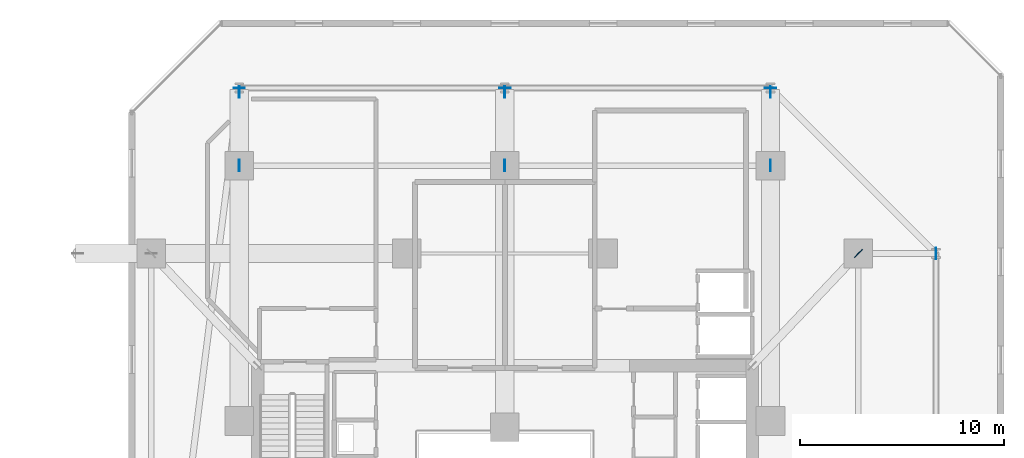
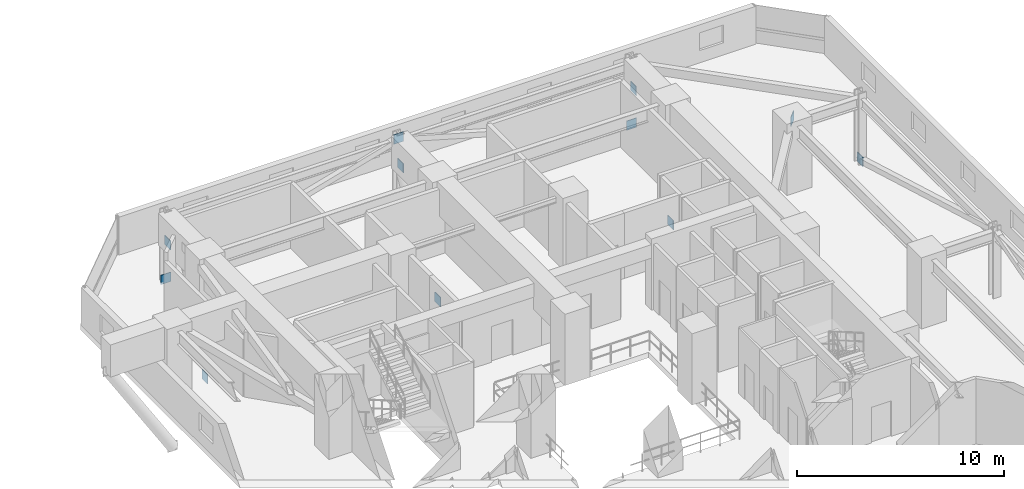
# One storey, part 28 of 38: 11 plates.
"""IFC4 building model written with IfcOpenShell, lengths in metres."""

from ifc_helpers import new_model, si_unit, direction, frame, origin, origin_2d, place, context, subcontext, project, spatial, rectangle, extrude, material, layer, layer_set, type_object, element, save


model = new_model("IFC4")

# Units and contexts
model_context = context("Model", 3, precision=1e-05, world=origin(), true_north=direction((0.0, 1.0)))
body_context = subcontext(model_context, "Body", "Model", "MODEL_VIEW")
ifc_project = project(units=[si_unit("LENGTHUNIT", "METRE"), si_unit("AREAUNIT", "SQUARE_METRE"), si_unit("VOLUMEUNIT", "CUBIC_METRE"), si_unit("PLANEANGLEUNIT", "RADIAN"), si_unit("MASSUNIT", "GRAM", prefix="KILO")], contexts=[model_context])

# Site, building, storey
site_placement = place(None, origin())
site = spatial("IfcSite", under=ifc_project, at=site_placement, CompositionType="ELEMENT")
building_placement = place(site_placement, origin())
building = spatial("IfcBuilding", under=site, at=building_placement, Name="Thornwick Lancets Civic Towers", CompositionType="ELEMENT")
storey_placement = place(building_placement, frame((0.0, 0.0, 71.699951171875)))
storey = spatial("IfcBuildingStorey", under=building, at=storey_placement, Name="L18", CompositionType="ELEMENT", Elevation=71.699951171875)

# Plates
ifc_material = material(Name="Steel S460M", Category="steel")
ifc_layer = layer(ifc_material, 0.0400390625, Name="Steel S460M")
ifc_layer_set = layer_set([ifc_layer], Name="Steel S460M")
plate_type = type_object("IfcPlateType", Name="PLT_GUSSET_40", PredefinedType="USERDEFINED", material=ifc_layer_set)
for number, where, z_axis, x_axis, name in (
    (1, (101.5, 44.300048828125, -3.625), (0.0, 0.0, 1.0), (0.0, 1.0, 0.0), "L18 Brace Connection Gusset Plate 0087"),
    (2, (101.5, 47.89990234375, 2.10498046875), (0.0, 0.0, 1.0), (0.0, 1.0, 0.0), "L18 Brace Connection Gusset Plate 0088"),
    (3, (88.5, 44.300048828125, -3.625), (0.0, 0.0, 1.0), (0.0, 1.0, 0.0), "L18 Brace Connection Gusset Plate 0089"),
    (4, (88.5, 47.89990234375, 2.10498046875), (0.0, 0.0, 1.0), (0.0, 1.0, 0.0), "L18 Brace Connection Gusset Plate 0090"),
    (5, (75.5, 44.300048828125, -3.625), (0.0, 0.0, 1.0), (0.0, 1.0, 0.0), "L18 Brace Connection Gusset Plate 0091"),
    (6, (75.5, 47.89990234375, 2.10498046875), (0.0, 0.0, 1.0), (0.0, 1.0, 0.0), "L18 Brace Connection Gusset Plate 0092"),
    (7, (109.60009765625, 40.0, -0.125), (0.0, 0.0, 1.0), (0.0, -1.0, 0.0), "L18 Brace Connection Gusset Plate 0116"),
    (8, (101.5, 48.10009765625, -0.125), (0.0, 0.0, 1.0), (-1.0, 0.0, 0.0), "L18 Brace Connection Gusset Plate 0117"),
    (9, (88.5, 48.10009765625, 3.60498046875), (0.0, 0.0, 1.0), (-1.0, 0.0, 0.0), "L18 Brace Connection Gusset Plate 0118"),
    (10, (75.5, 48.10009765625, -0.125), (0.0, 0.0, 1.0), (1.0, 0.0, 0.0), "L18 Brace Connection Gusset Plate 0119"),
    (11, (105.800048828125, 40.0, 3.60498046875), (0.0, 0.0, 1.0), (0.686960689137, 0.726694579297, 0.0), "L18 Brace Connection Gusset Plate 0126"),
):
    element("IfcPlate", number, at=place(storey_placement, frame(where, z_axis=z_axis, x_axis=x_axis)), inside=storey, type_object=plate_type, Name=name, ObjectType="GUSSET_PLATE", PredefinedType="USERDEFINED", context=body_context, shape_type="SweptSolid", body=[
        extrude(rectangle(XDim=0.550048828125, YDim=0.0400390625, at=origin_2d()), origin(), (0.0, 0.0, 1.0), 0.550048828125),
    ])

save(model, "model.ifc")
